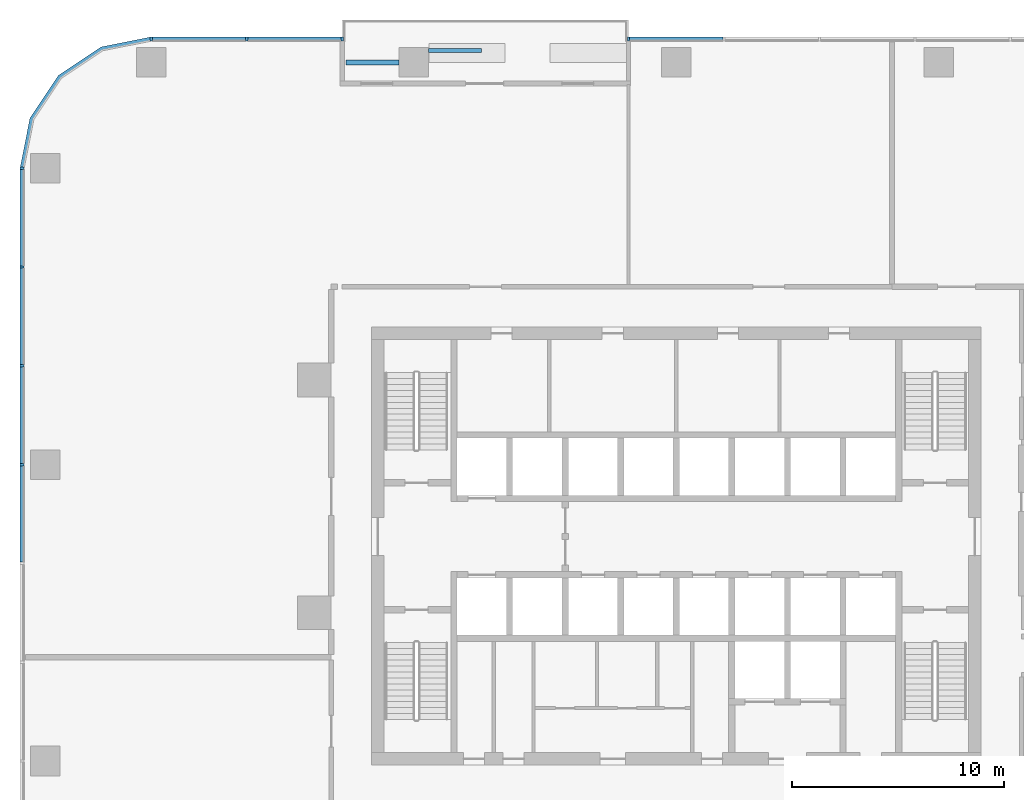
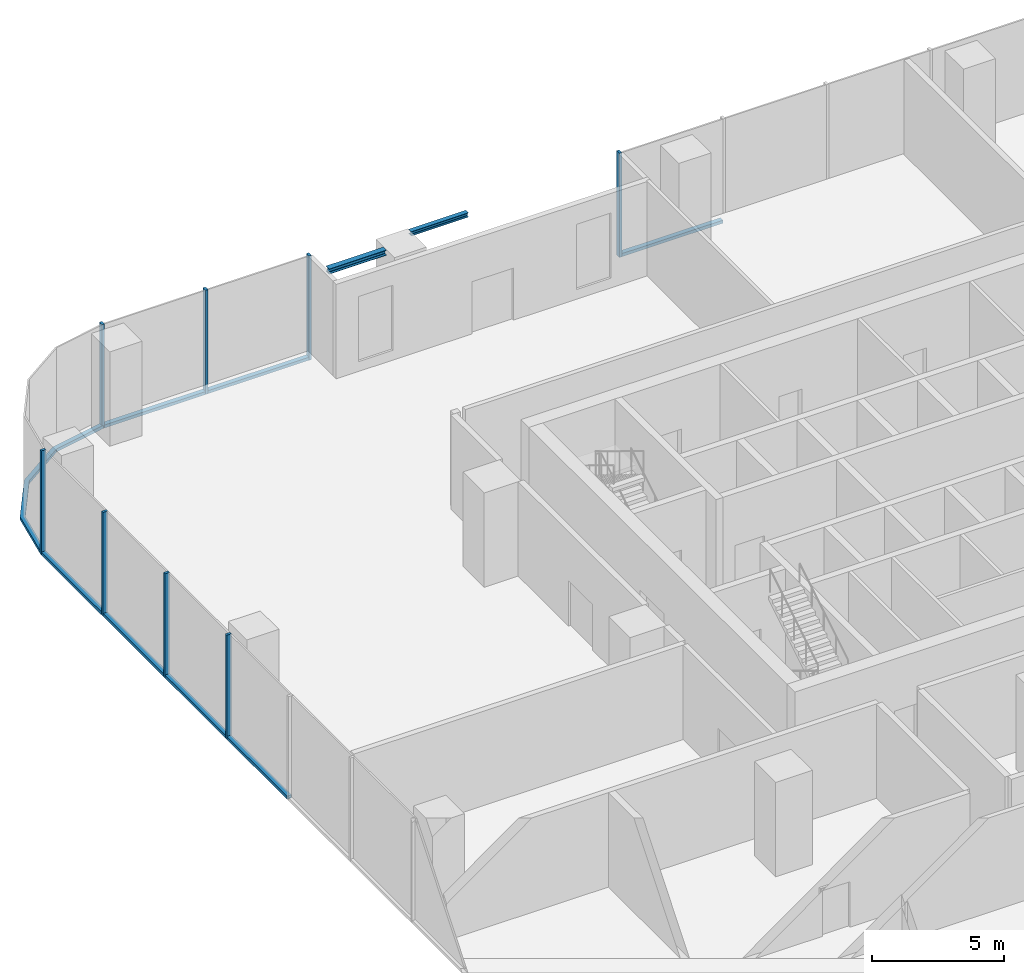
# One storey, part 4 of 15: 16 members, 2 beams, 4 elements without a shape of their own.
"""IFC4 building model written with IfcOpenShell, lengths in metres."""

from ifc_helpers import new_model, si_unit, direction, frame, origin, origin_2d, place, context, subcontext, project, spatial, polyline, rectangle, i_section, outline, extrude, material, material_profile, profile_set, type_object, element, aggregate, save


model = new_model("IFC4")

# Units and contexts
model_context = context("Model", 3, precision=1e-05, world=origin(), true_north=direction((0.0, 1.0)))
body_context = subcontext(model_context, "Body", "Model", "MODEL_VIEW")
ifc_project = project(units=[si_unit("LENGTHUNIT", "METRE"), si_unit("AREAUNIT", "SQUARE_METRE"), si_unit("VOLUMEUNIT", "CUBIC_METRE"), si_unit("PLANEANGLEUNIT", "RADIAN"), si_unit("MASSUNIT", "GRAM", prefix="KILO")], contexts=[model_context])

# Site, building, storey
site_placement = place(None, origin())
site = spatial("IfcSite", under=ifc_project, at=site_placement, CompositionType="ELEMENT")
building_placement = place(site_placement, origin())
building = spatial("IfcBuilding", under=site, at=building_placement, Name="Mopane Tessera Tower", CompositionType="ELEMENT")
storey_placement = place(building_placement, frame((0.0, 0.0, 69.39990234375)))
storey = spatial("IfcBuildingStorey", under=building, at=storey_placement, Name="L13", CompositionType="ELEMENT", Elevation=69.39990234375)

# Curtain wall, member
ifc_material_1 = material(Name="Aluminium frame", Category="aluminium")
curtain_wall_type = type_object("IfcCurtainWallType", Name="Lower tower unitised wall", PredefinedType="NOTDEFINED", material=ifc_material_1)
curtain_wall_1_placement = place(storey_placement, origin())
curtain_wall_1 = element("IfcCurtainWall", 1, at=curtain_wall_1_placement, inside=storey, type_object=curtain_wall_type, Name="e:cw:L13:N:0", PredefinedType="NOTDEFINED")
ifc_material_2 = material(Name="Aluminium frame", Category="aluminium")
ifc_material_profile_1 = material_profile(ifc_material_2, rectangle(XDim=0.110107421875, YDim=0.199951171875, at=origin_2d()))
ifc_profile_set_1 = profile_set([ifc_material_profile_1], Name="Aluminium frame")
member_type_1 = type_object("IfcMemberType", Name="Aluminium mullion 110 x 200", PredefinedType="MULLION", material=ifc_profile_set_1)
member_1_placement = place(storey_placement, frame((-2.254638671875, 27.10009765625, -0.449951171875), z_axis=(0.0, 0.0, 1.0), x_axis=(-1.0, 0.0, 0.0)))
member_1 = element("IfcMember", 2, at=member_1_placement, type_object=member_type_1, Name="e:cw:L13:N:0:mu6", PredefinedType="MULLION", context=body_context, shape_type="SweptSolid", body=[
    extrude(rectangle(XDim=0.110107421875, YDim=0.199951171875, at=origin_2d()), origin(), (0.0, 0.0, 1.0), 4.800048828125),
])

# Curtain wall, members
curtain_wall_2_placement = place(storey_placement, origin())
curtain_wall_2 = element("IfcCurtainWall", 3, at=curtain_wall_2_placement, inside=storey, type_object=curtain_wall_type, Name="e:cw:L13:N:9", PredefinedType="NOTDEFINED")
member_2_placement = place(storey_placement, frame((-15.78173828125, 27.10009765625, -0.449951171875), z_axis=(0.0, 0.0, 1.0), x_axis=(-1.0, 0.0, 0.0)))
member_2 = element("IfcMember", 4, at=member_2_placement, type_object=member_type_1, Name="e:cw:L13:N:9:mu9", PredefinedType="MULLION", context=body_context, shape_type="SweptSolid", body=[
    extrude(rectangle(XDim=0.110107421875, YDim=0.199951171875, at=origin_2d()), origin(), (0.0, 0.0, 1.0), 4.800048828125),
])
member_3_placement = place(storey_placement, frame((-20.291015625, 27.10009765625, -0.449951171875), z_axis=(0.0, 0.0, 1.0), x_axis=(-1.0, 0.0, 0.0)))
member_3 = element("IfcMember", 5, at=member_3_placement, type_object=member_type_1, Name="e:cw:L13:N:9:mu10", PredefinedType="MULLION", context=body_context, shape_type="SweptSolid", body=[
    extrude(rectangle(XDim=0.110107421875, YDim=0.199951171875, at=origin_2d()), origin(), (0.0, 0.0, 1.0), 4.800048828125),
])
member_4_placement = place(storey_placement, frame((-24.800048828125, 27.10009765625, -0.449951171875), z_axis=(0.0, 0.0, 1.0), x_axis=(-1.0, 0.0, 0.0)))
member_4 = element("IfcMember", 6, at=member_4_placement, type_object=member_type_1, Name="e:cw:L13:N:9:mu11", PredefinedType="MULLION", context=body_context, shape_type="SweptSolid", body=[
    extrude(rectangle(XDim=0.110107421875, YDim=0.199951171875, at=origin_2d()), origin(), (0.0, 0.0, 1.0), 4.800048828125),
])

curtain_wall_3_placement = place(storey_placement, origin())
curtain_wall_3 = element("IfcCurtainWall", 7, at=curtain_wall_3_placement, inside=storey, type_object=curtain_wall_type, Name="e:cw:L13:W:0", PredefinedType="NOTDEFINED")
member_5_placement = place(storey_placement, frame((-30.89990234375, 21.0, -0.449951171875), z_axis=(0.0, 0.0, 1.0), x_axis=(0.0, -1.0, 0.0)))
member_5 = element("IfcMember", 8, at=member_5_placement, type_object=member_type_1, Name="e:cw:L13:W:0:mu0", PredefinedType="MULLION", context=body_context, shape_type="SweptSolid", body=[
    extrude(rectangle(XDim=0.110107421875, YDim=0.199951171875, at=origin_2d()), origin(), (0.0, 0.0, 1.0), 4.800048828125),
])
member_6_placement = place(storey_placement, frame((-30.89990234375, 16.333251953125, -0.449951171875), z_axis=(0.0, 0.0, 1.0), x_axis=(0.0, -1.0, 0.0)))
member_6 = element("IfcMember", 9, at=member_6_placement, type_object=member_type_1, Name="e:cw:L13:W:0:mu1", PredefinedType="MULLION", context=body_context, shape_type="SweptSolid", body=[
    extrude(rectangle(XDim=0.110107421875, YDim=0.199951171875, at=origin_2d()), origin(), (0.0, 0.0, 1.0), 4.800048828125),
])
member_7_placement = place(storey_placement, frame((-30.89990234375, 11.666748046875, -0.449951171875), z_axis=(0.0, 0.0, 1.0), x_axis=(0.0, -1.0, 0.0)))
member_7 = element("IfcMember", 10, at=member_7_placement, type_object=member_type_1, Name="e:cw:L13:W:0:mu2", PredefinedType="MULLION", context=body_context, shape_type="SweptSolid", body=[
    extrude(rectangle(XDim=0.110107421875, YDim=0.199951171875, at=origin_2d()), origin(), (0.0, 0.0, 1.0), 4.800048828125),
])
member_8_placement = place(storey_placement, frame((-30.89990234375, 7.0, -0.449951171875), z_axis=(0.0, 0.0, 1.0), x_axis=(0.0, -1.0, 0.0)))
member_8 = element("IfcMember", 11, at=member_8_placement, type_object=member_type_1, Name="e:cw:L13:W:0:mu3", PredefinedType="MULLION", context=body_context, shape_type="SweptSolid", body=[
    extrude(rectangle(XDim=0.110107421875, YDim=0.199951171875, at=origin_2d()), origin(), (0.0, 0.0, 1.0), 4.800048828125),
])

# Member
ifc_material_3 = material(Name="Aluminium frame", Category="aluminium")
ifc_material_profile_2 = material_profile(ifc_material_3, rectangle(XDim=0.199951171875, YDim=0.139892578125, at=origin_2d()))
ifc_profile_set_2 = profile_set([ifc_material_profile_2], Name="Aluminium frame")
member_type_2 = type_object("IfcMemberType", Name="Aluminium transom 200 x 140", PredefinedType="USERDEFINED", material=ifc_profile_set_2)
member_9_placement = place(storey_placement, frame((2.199462890625, 27.10009765625, -0.3798828125), z_axis=(-1.0, 0.0, 0.0), x_axis=(0.0, -1.0, 0.0)))
member_9 = element("IfcMember", 12, at=member_9_placement, type_object=member_type_2, Name="e:cw:L13:N:0:tr5", ObjectType="TRANSOM", PredefinedType="USERDEFINED", context=body_context, shape_type="SweptSolid", body=[
    extrude(rectangle(XDim=0.199951171875, YDim=0.139892578125, at=origin_2d()), origin(), (0.0, 0.0, 1.0), 4.39892578125),
])

aggregate(curtain_wall_1, [member_1, member_9])

member_10_placement = place(storey_placement, frame((-15.8369140625, 27.10009765625, -0.3798828125), z_axis=(-1.0, 0.0, 0.0), x_axis=(0.0, -1.0, 0.0)))
member_10 = element("IfcMember", 13, at=member_10_placement, type_object=member_type_2, Name="e:cw:L13:N:9:tr9", ObjectType="TRANSOM", PredefinedType="USERDEFINED", context=body_context, shape_type="SweptSolid", body=[
    extrude(rectangle(XDim=0.199951171875, YDim=0.139892578125, at=origin_2d()), origin(), (0.0, 0.0, 1.0), 4.39892578125),
])

member_11_placement = place(storey_placement, frame((-20.345947265625, 27.10009765625, -0.3798828125), z_axis=(-1.0, 0.0, 0.0), x_axis=(0.0, -1.0, 0.0)))
member_11 = element("IfcMember", 14, at=member_11_placement, type_object=member_type_2, Name="e:cw:L13:N:9:tr10", ObjectType="TRANSOM", PredefinedType="USERDEFINED", context=body_context, shape_type="SweptSolid", body=[
    extrude(rectangle(XDim=0.199951171875, YDim=0.139892578125, at=origin_2d()), origin(), (0.0, 0.0, 1.0), 4.399169921875),
])

aggregate(curtain_wall_2, [member_2, member_3, member_4, member_10, member_11])

# Curtain wall, member
curtain_wall_4_placement = place(storey_placement, origin())
curtain_wall_4 = element("IfcCurtainWall", 15, at=curtain_wall_4_placement, inside=storey, type_object=curtain_wall_type, Name="e:cw:L13:CN", PredefinedType="NOTDEFINED")
member_12_placement = place(storey_placement, frame((0.0, 0.0, -0.449951171875)))
member_12 = element("IfcMember", 16, at=member_12_placement, type_object=member_type_2, Name="e:cw:L13:CN:tr", ObjectType="TRANSOM", PredefinedType="USERDEFINED", context=body_context, shape_type="SweptSolid", body=[
    extrude(outline(polyline([(-24.800048828125, 27.0), (-27.09619140625, 26.543212890625), (-29.042724609375, 25.24267578125), (-30.34326171875, 23.296142578125), (-30.800048828125, 21.0), (-31.0, 21.0), (-30.528076171875, 23.37255859375), (-29.18408203125, 25.384033203125), (-27.172607421875, 26.72802734375), (-24.800048828125, 27.199951171875), (-24.800048828125, 27.0)])), origin(), (0.0, 0.0, 1.0), 0.14013671875),
])
aggregate(curtain_wall_4, [member_12])

# Member
member_13_placement = place(storey_placement, frame((-30.89990234375, 20.945068359375, -0.3798828125), z_axis=(0.0, -1.0, 0.0), x_axis=(1.0, 0.0, 0.0)))
member_13 = element("IfcMember", 17, at=member_13_placement, type_object=member_type_2, Name="e:cw:L13:W:0:tr0", ObjectType="TRANSOM", PredefinedType="USERDEFINED", context=body_context, shape_type="SweptSolid", body=[
    extrude(rectangle(XDim=0.199951171875, YDim=0.139892578125, at=origin_2d()), origin(), (0.0, 0.0, 1.0), 4.556640625),
])

member_14_placement = place(storey_placement, frame((-30.89990234375, 16.2783203125, -0.3798828125), z_axis=(0.0, -1.0, 0.0), x_axis=(1.0, 0.0, 0.0)))
member_14 = element("IfcMember", 18, at=member_14_placement, type_object=member_type_2, Name="e:cw:L13:W:0:tr1", ObjectType="TRANSOM", PredefinedType="USERDEFINED", context=body_context, shape_type="SweptSolid", body=[
    extrude(rectangle(XDim=0.199951171875, YDim=0.139892578125, at=origin_2d()), origin(), (0.0, 0.0, 1.0), 4.556640625),
])

member_15_placement = place(storey_placement, frame((-30.89990234375, 11.611572265625, -0.3798828125), z_axis=(0.0, -1.0, 0.0), x_axis=(1.0, 0.0, 0.0)))
member_15 = element("IfcMember", 19, at=member_15_placement, type_object=member_type_2, Name="e:cw:L13:W:0:tr2", ObjectType="TRANSOM", PredefinedType="USERDEFINED", context=body_context, shape_type="SweptSolid", body=[
    extrude(rectangle(XDim=0.199951171875, YDim=0.139892578125, at=origin_2d()), origin(), (0.0, 0.0, 1.0), 4.556640625),
])

member_16_placement = place(storey_placement, frame((-30.89990234375, 6.945068359375, -0.3798828125), z_axis=(0.0, -1.0, 0.0), x_axis=(1.0, 0.0, 0.0)))
member_16 = element("IfcMember", 20, at=member_16_placement, type_object=member_type_2, Name="e:cw:L13:W:0:tr3", ObjectType="TRANSOM", PredefinedType="USERDEFINED", context=body_context, shape_type="SweptSolid", body=[
    extrude(rectangle(XDim=0.199951171875, YDim=0.139892578125, at=origin_2d()), origin(), (0.0, 0.0, 1.0), 4.556640625),
])

aggregate(curtain_wall_3, [member_5, member_6, member_7, member_8, member_13, member_14, member_15, member_16])

# Beams
ifc_material_4 = material(Name="Structural steel S460", Category="steel")
ifc_material_profile_3 = material_profile(ifc_material_4, i_section(OverallWidth=0.239990234375, OverallDepth=0.239990234375, WebThickness=0.010009765625, FlangeThickness=0.01708984375, FilletRadius=0.02099609375, at=origin_2d()))
ifc_profile_set_3 = profile_set([ifc_material_profile_3], Name="Structural steel S460")
beam_type_1 = type_object("IfcBeamType", Name="Terrace spandrel beam HE 240 B", PredefinedType="SPANDREL", material=ifc_profile_set_3)
beam_1_placement = place(storey_placement, frame((-13.102783203125, 26.0, 4.22998046875), z_axis=(-1.0, 0.0, 0.0), x_axis=(0.0, -1.0, 0.0)))
element("IfcBeam", 21, at=beam_1_placement, inside=storey, type_object=beam_type_1, Name="Terrace spandrel beam N2 L14", PredefinedType="SPANDREL", context=body_context, shape_type="SweptSolid", body=[
    extrude(i_section(OverallWidth=0.239990234375, OverallDepth=0.239990234375, WebThickness=0.010009765625, FlangeThickness=0.01708984375, FilletRadius=0.02099609375, at=origin_2d()), origin(), (0.0, 0.0, 1.0), 2.5),
])
ifc_material_5 = material(Name="Structural steel S460", Category="steel")
ifc_material_profile_4 = material_profile(ifc_material_5, i_section(OverallWidth=0.199951171875, OverallDepth=0.199951171875, WebThickness=0.009033203125, FlangeThickness=0.014892578125, FilletRadius=0.01806640625, at=origin_2d()))
ifc_profile_set_4 = profile_set([ifc_material_profile_4], Name="Structural steel S460")
beam_type_2 = type_object("IfcBeamType", Name="Terrace trimmer beam HE 200 B", PredefinedType="BEAM", material=ifc_profile_set_4)
beam_2_placement = place(storey_placement, frame((-11.697021484375, 26.56005859375, 4.25), z_axis=(1.0, 0.0, 0.0), x_axis=(0.0, 1.0, 0.0)))
element("IfcBeam", 22, at=beam_2_placement, inside=storey, type_object=beam_type_2, Name="Terrace trimmer beam N2 L14", PredefinedType="BEAM", context=body_context, shape_type="SweptSolid", body=[
    extrude(i_section(OverallWidth=0.199951171875, OverallDepth=0.199951171875, WebThickness=0.009033203125, FlangeThickness=0.014892578125, FilletRadius=0.01806640625, at=origin_2d()), origin(), (0.0, 0.0, 1.0), 2.5),
])

save(model, "model.ifc")
